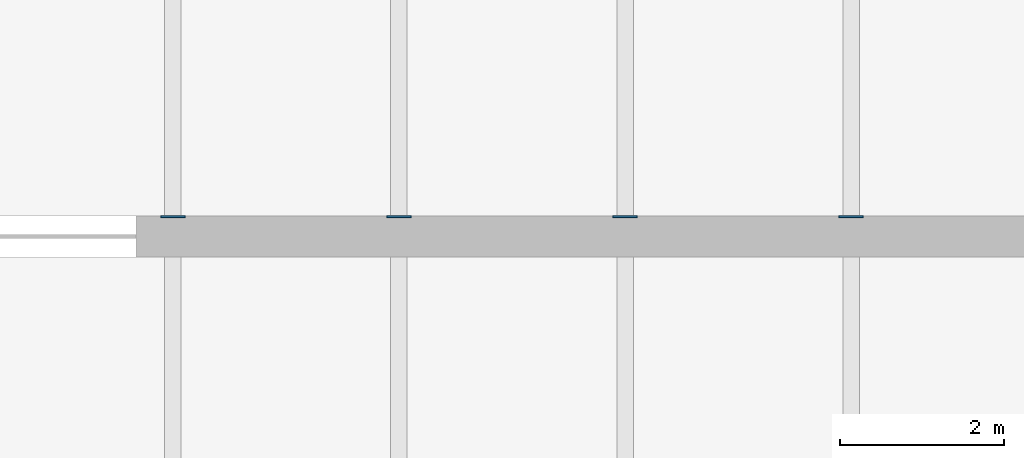
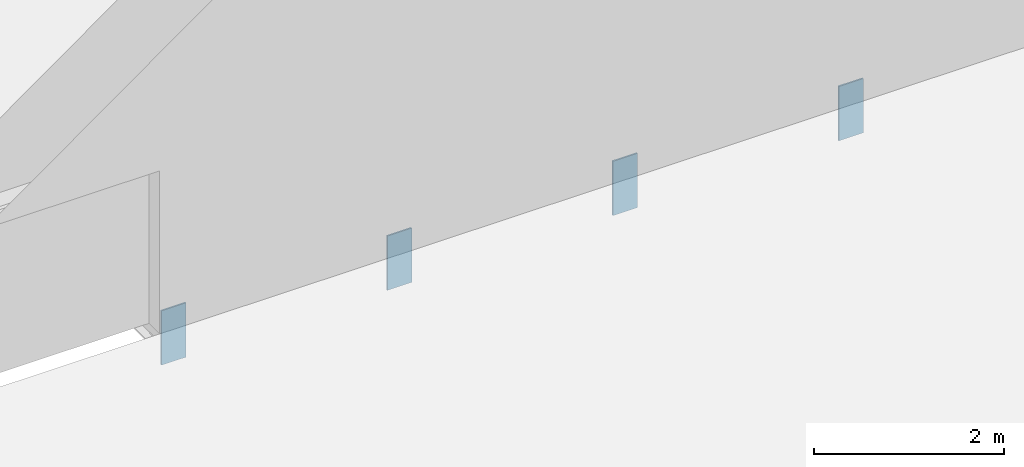
# One storey, part 86 of 100: 4 discrete accessories.
"""IFC4 building model written with IfcOpenShell, lengths in metres."""

import ifcopenshell
import ifcopenshell.guid

model = None  # the IFC model being written
_history = None  # IfcOwnerHistory: only IFC2X3 demands one
_inside = {}  # id of a spatial element -> (the spatial element, [elements in it])
_under = {}  # id of a project, library or spatial element -> (it, [spatial elements below it])
_declared = {}  # id of a project -> (the project, [libraries it declares])
_typed = {}  # id of a type object -> (the type object, [elements of that type])
_made_of = {}  # id of a material, layer set ... -> (it, [elements and type objects made of it])


def new_model(schema):
    """Start an empty IFC model of exactly this schema.

    Asked for "IFC4X3", IfcOpenShell would pick the latest addendum, in which some entities
    have other attributes; the version numbers below select the first issue.
    IFC2X3 requires an IfcOwnerHistory on every rooted entity: one is made here for all.
    """
    global model, _history
    if schema == "IFC4X3":
        model = ifcopenshell.file(schema_version=(4, 3, 0, 0))
    else:
        model = ifcopenshell.file(schema=schema)
    _inside.clear()
    _under.clear()
    _declared.clear()
    _typed.clear()
    _made_of.clear()
    _history = None
    if model.schema == "IFC2X3":
        org = make("IfcOrganization", Name="unknown")
        user = make(
            "IfcPersonAndOrganization",
            ThePerson=make("IfcPerson", FamilyName="unknown"),
            TheOrganization=org,
        )
        app = make(
            "IfcApplication",
            ApplicationDeveloper=org,
            Version="unknown",
            ApplicationFullName="unknown",
            ApplicationIdentifier="unknown",
        )
        _history = make(
            "IfcOwnerHistory",
            OwningUser=user,
            OwningApplication=app,
            ChangeAction="ADDED",
            CreationDate=0,
        )
    return model


def make(cls, **values):
    """One entity of the class cls with the attributes given. An attribute that is None is left unset."""
    return model.create_entity(
        cls, **{name: value for name, value in values.items() if value is not None}
    )


def rooted(cls, **values):
    """An entity with a GlobalId (a new one), such as an element, a storey or a relation."""
    return make(cls, GlobalId=ifcopenshell.guid.new(), OwnerHistory=_history, **values)


def si_unit(unit_type, name, prefix=None):
    """IfcSIUnit, for example si_unit("LENGTHUNIT", "METRE", prefix="MILLI")."""
    return make("IfcSIUnit", UnitType=unit_type, Prefix=prefix, Name=name)


def assignment(units):
    """IfcUnitAssignment: the units of a project."""
    return None if units is None else make("IfcUnitAssignment", Units=units)


def point(xyz):
    """IfcCartesianPoint."""
    return None if xyz is None else make("IfcCartesianPoint", Coordinates=xyz)


def direction(xyz):
    """IfcDirection."""
    return None if xyz is None else make("IfcDirection", DirectionRatios=xyz)


def frame(location, z_axis=None, x_axis=None):
    """IfcAxis2Placement3D, a coordinate frame: its origin and axes. An axis left out is left unset."""
    return make(
        "IfcAxis2Placement3D",
        Location=point(location),
        Axis=direction(z_axis),
        RefDirection=direction(x_axis),
    )


def frame_2d(location, x_axis=None):
    """IfcAxis2Placement2D, a coordinate frame in the plane: its origin and x axis."""
    return make(
        "IfcAxis2Placement2D", Location=point(location), RefDirection=direction(x_axis)
    )


def origin():
    """The frame at (0, 0, 0) with its axes left unset."""
    return frame((0.0, 0.0, 0.0))


def origin_2d():
    """The frame at (0, 0) in the plane with its x axis left unset."""
    return frame_2d((0.0, 0.0))


def place(relative_to, where):
    """IfcLocalPlacement: puts the frame where relative to a parent placement (None: the world)."""
    return make(
        "IfcLocalPlacement", PlacementRelTo=relative_to, RelativePlacement=where
    )


def context(
    kind, dimensions, precision=None, world=None, true_north=None, identifier=None
):
    """IfcGeometricRepresentationContext, for example the 3D "Model" context."""
    return make(
        "IfcGeometricRepresentationContext",
        ContextIdentifier=identifier,
        ContextType=kind,
        CoordinateSpaceDimension=dimensions,
        Precision=precision,
        WorldCoordinateSystem=world,
        TrueNorth=true_north,
    )


def subcontext(parent, identifier, kind, view, scale=None):
    """IfcGeometricRepresentationSubContext, for example "Body" below "Model"."""
    return make(
        "IfcGeometricRepresentationSubContext",
        ContextIdentifier=identifier,
        ContextType=kind,
        ParentContext=parent,
        TargetScale=scale,
        TargetView=view,
    )


def project(units=None, contexts=None):
    """IfcProject with its units and contexts."""
    return rooted(
        "IfcProject",
        Name="project",
        RepresentationContexts=contexts,
        UnitsInContext=assignment(units),
    )


def spatial(cls, under=None, at=None, **own):
    """A site, building, storey or space (cls), placed at a placement, below another one or the project."""
    s = rooted(cls, ObjectPlacement=at, **own)
    if under is not None:
        _under.setdefault(under.id(), (under, []))[1].append(s)
    return s


def profile(cls, at=None, kind="AREA", **sizes):
    """A parametric profile (cls). Its sizes go by their IFC names, for example OverallWidth=200.0."""
    return make(cls, ProfileType=kind, Position=at, **sizes)


def rectangle(**sizes):
    """IfcRectangleProfileDef."""
    return profile("IfcRectangleProfileDef", **sizes)


def extrude(swept, where, along, depth):
    """IfcExtrudedAreaSolid: the profile swept, set in the frame where, extruded along a direction by depth."""
    return make(
        "IfcExtrudedAreaSolid",
        SweptArea=swept,
        Position=where,
        ExtrudedDirection=direction(along),
        Depth=depth,
    )


def shape(context_of_items, identifier, shape_type, items):
    """IfcShapeRepresentation: the items that make up one representation, for example the "Body"."""
    return make(
        "IfcShapeRepresentation",
        ContextOfItems=context_of_items,
        RepresentationIdentifier=identifier,
        RepresentationType=shape_type,
        Items=items,
    )


def material(Name=None, Category=None):
    """IfcMaterial."""
    return make("IfcMaterial", Name=Name, Category=Category)


def layer(
    of_material, thickness, ventilated=None, Name=None, Category=None, Priority=None
):
    """IfcMaterialLayer: one layer of a wall or slab, of a material (None: an air gap)."""
    return make(
        "IfcMaterialLayer",
        Material=of_material,
        LayerThickness=thickness,
        IsVentilated=ventilated,
        Name=Name,
        Category=Category,
        Priority=Priority,
    )


def layer_set(layers, Name=None):
    """IfcMaterialLayerSet."""
    return make("IfcMaterialLayerSet", MaterialLayers=layers, LayerSetName=Name)


def made_of(thing, what):
    """Note that an element or type object is made of a material, layer set ...; save() writes the relation."""
    if what is not None:
        _made_of.setdefault(what.id(), (what, []))[1].append(thing)
    return thing


def type_object(cls, material=None, **own):
    """A type object (cls), such as IfcWallType, which elements share."""
    return made_of(rooted(cls, **own), material)


def element(
    cls,
    number,
    at=None,
    inside=None,
    cuts=None,
    type_object=None,
    material=None,
    context=None,
    identifier="Body",
    shape_type=None,
    held_by="IfcProductDefinitionShape",
    body=None,
    shapes=None,
    **own,
):
    """One element of the class cls, such as IfcWall. Its Tag is "e" and its number.

    at: its placement. inside: the storey or other place that contains it. cuts: it is an
    opening in that element (IfcRelVoidsElement). A single representation is given by context,
    identifier, shape_type and body (its items); several are given by shapes. held_by: the class
    of the entity that holds the representations. save() writes the other relations.
    """
    e = rooted(cls, Tag="e%d" % number, ObjectPlacement=at, **own)
    if body is not None:
        shapes = [shape(context, identifier, shape_type, body)]
    if shapes is not None:
        e.Representation = make(held_by, Representations=shapes)
    if inside is not None:
        _inside.setdefault(inside.id(), (inside, []))[1].append(e)
    if cuts is not None:
        rooted(
            "IfcRelVoidsElement", RelatingBuildingElement=cuts, RelatedOpeningElement=e
        )
    if type_object is not None:
        _typed.setdefault(type_object.id(), (type_object, []))[1].append(e)
    return made_of(e, material)


def aggregate(whole, parts):
    """IfcRelAggregates: a whole, such as a stair, and the parts it consists of."""
    return rooted("IfcRelAggregates", RelatingObject=whole, RelatedObjects=parts)


def save(model, path):
    """Write the relations noted so far, then the file.

    IfcRelAggregates (storeys below a building ...), IfcRelContainedInSpatialStructure (elements
    in a storey), IfcRelDefinesByType, IfcRelAssociatesMaterial and IfcRelDeclares: one each for
    every whole, place, type object, material and project.
    """
    for whole, parts in _under.values():
        aggregate(whole, parts)
    for where, things in _inside.values():
        rooted(
            "IfcRelContainedInSpatialStructure",
            RelatedElements=things,
            RelatingStructure=where,
        )
    for kind, things in _typed.values():
        rooted("IfcRelDefinesByType", RelatedObjects=things, RelatingType=kind)
    for what, things in _made_of.values():
        rooted("IfcRelAssociatesMaterial", RelatedObjects=things, RelatingMaterial=what)
    for by, libraries in _declared.values():
        rooted("IfcRelDeclares", RelatingContext=by, RelatedDefinitions=libraries)
    model.write(path)


model = new_model("IFC4")

# Units and contexts
model_context = context("Model", 3, precision=1e-05, world=origin(), true_north=direction((0.0, 1.0)))
body_context = subcontext(model_context, "Body", "Model", "MODEL_VIEW")
ifc_project = project(units=[si_unit("LENGTHUNIT", "METRE"), si_unit("AREAUNIT", "SQUARE_METRE"), si_unit("VOLUMEUNIT", "CUBIC_METRE"), si_unit("PLANEANGLEUNIT", "RADIAN"), si_unit("MASSUNIT", "GRAM", prefix="KILO")], contexts=[model_context])

# Site, building, storey
site_placement = place(None, origin())
site = spatial("IfcSite", under=ifc_project, at=site_placement, CompositionType="ELEMENT")
building_placement = place(site_placement, origin())
building = spatial("IfcBuilding", under=site, at=building_placement, Name="Cresset Court Congress Hotel", CompositionType="ELEMENT")
storey_placement = place(building_placement, frame((0.0, 0.0, 10.199951171875)))
storey = spatial("IfcBuildingStorey", under=building, at=storey_placement, Name="L02", CompositionType="ELEMENT", Elevation=10.199951171875)

# Discrete accessories
ifc_material = material(Name="Structural steel Q355B", Category="steel")
ifc_layer = layer(ifc_material, 0.02001953125)
ifc_layer_set = layer_set([ifc_layer], Name="Cast-in plate 300x700x20")
discrete_accessory_type = type_object("IfcDiscreteAccessoryType", Name="Cast-in plate 300x700x20", PredefinedType="BRACKET", material=ifc_layer_set)
for number, where, z_axis, x_axis, name in (
    (1, (98.25, 75.840087890625, -0.7998046875), (0.0, 0.0, 1.0), (1.0, 0.0, 0.0), "Cast-in plate CK-12a"),
    (2, (101.0, 75.840087890625, -0.7998046875), (0.0, 0.0, 1.0), (1.0, 0.0, 0.0), "Cast-in plate CK-13a"),
    (3, (103.75, 75.840087890625, -0.7998046875), (0.0, 0.0, 1.0), (1.0, 0.0, 0.0), "Cast-in plate CK-14a"),
    (4, (106.5, 75.840087890625, -0.7998046875), (0.0, 0.0, 1.0), (1.0, 0.0, 0.0), "Cast-in plate CK-15a"),
):
    element("IfcDiscreteAccessory", number, at=place(storey_placement, frame(where, z_axis=z_axis, x_axis=x_axis)), inside=storey, type_object=discrete_accessory_type, Name=name, PredefinedType="BRACKET", context=body_context, shape_type="SweptSolid", body=[
        extrude(rectangle(XDim=0.300048828125, YDim=0.02001953125, at=origin_2d()), origin(), (0.0, 0.0, 1.0), 0.699951171875),
    ])

save(model, "model.ifc")
